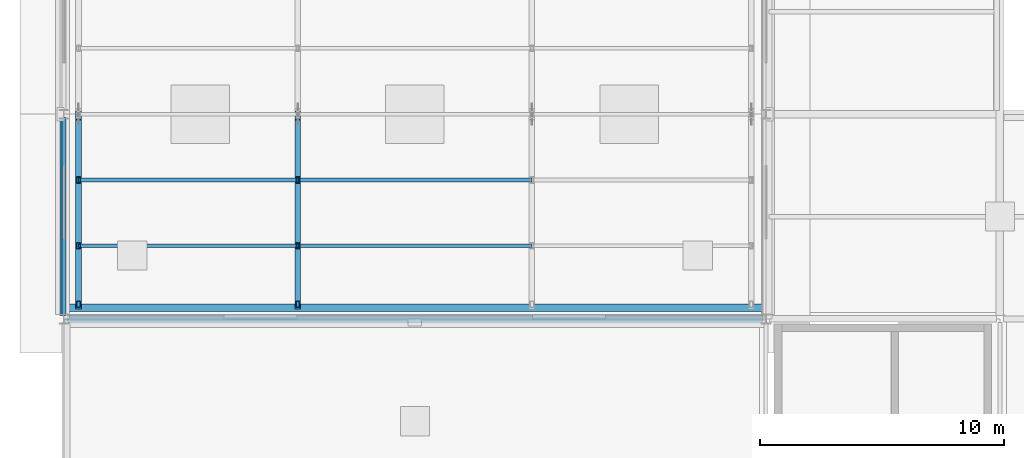
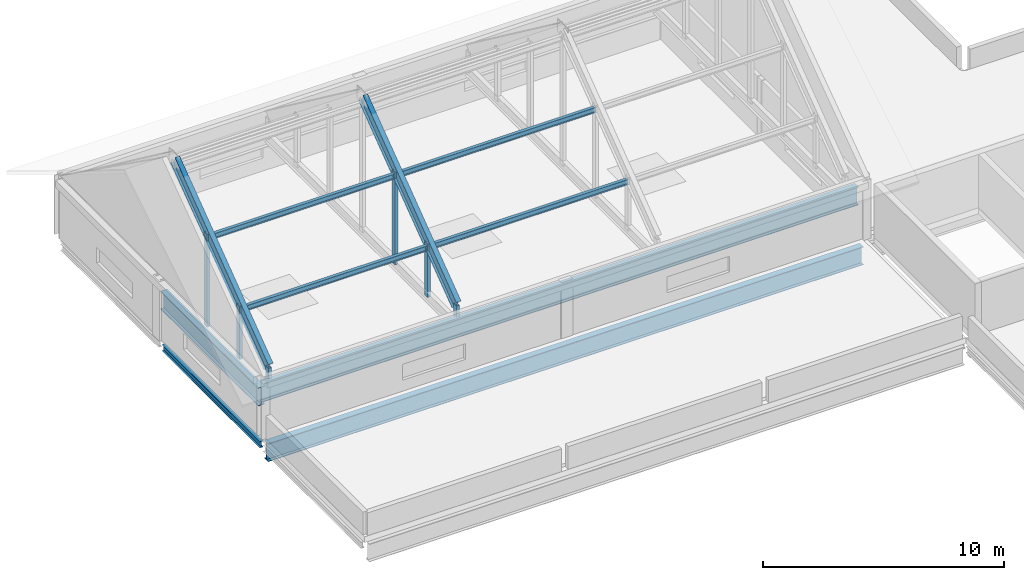
# One storey, part 2 of 10: 10 beams, 6 members.
"""IFC4 building model written with IfcOpenShell, lengths in metres."""

from ifc_helpers import new_model, si_unit, direction, frame, origin, origin_2d, place, context, subcontext, project, spatial, hollow_rectangle, i_section, extrude, material, material_profile, profile_set, type_object, element, save


model = new_model("IFC4")

# Units and contexts
model_context = context("Model", 3, precision=1e-05, world=origin(), true_north=direction((0.0, 1.0)))
body_context = subcontext(model_context, "Body", "Model", "MODEL_VIEW")
ifc_project = project(units=[si_unit("LENGTHUNIT", "METRE"), si_unit("AREAUNIT", "SQUARE_METRE"), si_unit("VOLUMEUNIT", "CUBIC_METRE"), si_unit("PLANEANGLEUNIT", "RADIAN"), si_unit("MASSUNIT", "GRAM", prefix="KILO")], contexts=[model_context])

# Site, building, storey
site_placement = place(None, origin())
site = spatial("IfcSite", under=ifc_project, at=site_placement, CompositionType="ELEMENT")
building_placement = place(site_placement, origin())
building = spatial("IfcBuilding", under=site, at=building_placement, Name="Lornevale Opera House", CompositionType="ELEMENT")
storey_placement = place(building_placement, frame((0.0, 0.0, 31.199951171875)))
storey = spatial("IfcBuildingStorey", under=building, at=storey_placement, Name="RF", CompositionType="ELEMENT", Elevation=31.199951171875)

# Beams
ifc_material = material(Name="Structural Steel CSA G40.21 Grade 350W (350 MPa)", Category="steel")
ifc_material_profile_1 = material_profile(ifc_material, i_section(OverallWidth=0.22900390625, OverallDepth=0.612060546875, WebThickness=0.011962890625, FlangeThickness=0.01953125, at=origin_2d()), Name="W610x125")
ifc_profile_set_1 = profile_set([ifc_material_profile_1], Name="Structural Steel CSA G40.21 Grade 350W (350 MPa)")
beam_type_1 = type_object("IfcBeamType", Name="Auditorium Truss Top Chord W610x125", PredefinedType="BEAM", material=ifc_profile_set_1)
for number, where, z_axis, x_axis, name in (
    (1, (67.800048828125, 67.800048828125, 2.9599609375), (0.0, 0.801113071648, 0.598513029461), (-1.0, 0.0, 0.0), "Auditorium Truss Top Chord W610x125 2991"),
    (2, (76.800048828125, 67.800048828125, 2.9599609375), (0.0, 0.801113071648, 0.598513029461), (-1.0, 0.0, 0.0), "Auditorium Truss Top Chord W610x125 2994"),
):
    element("IfcBeam", number, at=place(storey_placement, frame(where, z_axis=z_axis, x_axis=x_axis)), inside=storey, type_object=beam_type_1, Name=name, PredefinedType="BEAM", context=body_context, shape_type="SweptSolid", body=[
        extrude(i_section(OverallWidth=0.22900390625, OverallDepth=0.612060546875, WebThickness=0.011962890625, FlangeThickness=0.01953125, at=origin_2d()), origin(), (0.0, 0.0, 1.0), 9.674072265625),
    ])
ifc_material_profile_2 = material_profile(ifc_material, i_section(OverallWidth=0.14794921875, OverallDepth=0.26611328125, WebThickness=0.007568359375, FlangeThickness=0.012939453125, at=origin_2d()), Name="W250x45")
ifc_profile_set_2 = profile_set([ifc_material_profile_2], Name="Structural Steel CSA G40.21 Grade 350W (350 MPa)")
beam_type_2 = type_object("IfcBeamType", Name="Copper Roof Purlin W250x45", PredefinedType="JOIST", material=ifc_profile_set_2)
beam_1_placement = place(storey_placement, frame((67.800048828125, 70.199951171875, 4.3916015625), z_axis=(1.0, 0.0, 0.0), x_axis=(0.0, 1.0, 0.0)))
element("IfcBeam", 3, at=beam_1_placement, inside=storey, type_object=beam_type_2, Name="Copper Roof Purlin W250x45 3002", PredefinedType="JOIST", context=body_context, shape_type="SweptSolid", body=[
    extrude(i_section(OverallWidth=0.14794921875, OverallDepth=0.26611328125, WebThickness=0.007568359375, FlangeThickness=0.012939453125, at=origin_2d()), origin(), (0.0, 0.0, 1.0), 9.0),
])
beam_2_placement = place(storey_placement, frame((76.800048828125, 70.199951171875, 4.3916015625), z_axis=(1.0, 0.0, 0.0), x_axis=(0.0, 1.0, 0.0)))
element("IfcBeam", 4, at=beam_2_placement, inside=storey, type_object=beam_type_2, Name="Copper Roof Purlin W250x45 3003", PredefinedType="JOIST", context=body_context, shape_type="SweptSolid", body=[
    extrude(i_section(OverallWidth=0.14794921875, OverallDepth=0.26611328125, WebThickness=0.007568359375, FlangeThickness=0.012939453125, at=origin_2d()), origin(), (0.0, 0.0, 1.0), 9.599853515625),
])
beam_3_placement = place(storey_placement, frame((67.800048828125, 72.89990234375, 6.395751953125), z_axis=(1.0, 0.0, 0.0), x_axis=(0.0, 1.0, 0.0)))
element("IfcBeam", 5, at=beam_3_placement, inside=storey, type_object=beam_type_2, Name="Copper Roof Purlin W250x45 3005", PredefinedType="JOIST", context=body_context, shape_type="SweptSolid", body=[
    extrude(i_section(OverallWidth=0.14794921875, OverallDepth=0.26611328125, WebThickness=0.007568359375, FlangeThickness=0.012939453125, at=origin_2d()), origin(), (0.0, 0.0, 1.0), 9.0),
])
beam_4_placement = place(storey_placement, frame((76.800048828125, 72.89990234375, 6.395751953125), z_axis=(1.0, 0.0, 0.0), x_axis=(0.0, 1.0, 0.0)))
element("IfcBeam", 6, at=beam_4_placement, inside=storey, type_object=beam_type_2, Name="Copper Roof Purlin W250x45 3006", PredefinedType="JOIST", context=body_context, shape_type="SweptSolid", body=[
    extrude(i_section(OverallWidth=0.14794921875, OverallDepth=0.26611328125, WebThickness=0.007568359375, FlangeThickness=0.012939453125, at=origin_2d()), origin(), (0.0, 0.0, 1.0), 9.599853515625),
])

# Members
ifc_material_profile_3 = material_profile(ifc_material, hollow_rectangle(XDim=0.152099609375, YDim=0.25390625, WallThickness=0.010986328125, at=origin_2d()), Name="HSS254x152x11")
ifc_profile_set_3 = profile_set([ifc_material_profile_3], Name="Structural Steel CSA G40.21 Grade 350W (350 MPa)")
member_type = type_object("IfcMemberType", Name="Stage Truss Web HSS254x152x11", PredefinedType="STRUT", material=ifc_profile_set_3)
member_1_placement = place(storey_placement, frame((67.800048828125, 67.800048828125, 1.949951171875), z_axis=(0.0, 0.0, 1.0), x_axis=(1.0, 0.0, 0.0)))
element("IfcMember", 7, at=member_1_placement, inside=storey, type_object=member_type, Name="Stage Truss Web HSS254x152x11 0068", PredefinedType="STRUT", context=body_context, shape_type="SweptSolid", body=[
    extrude(hollow_rectangle(XDim=0.152099609375, YDim=0.25390625, WallThickness=0.010986328125, at=origin_2d()), origin(), (0.0, 0.0, 1.0), 1.010009765625),
])
member_2_placement = place(storey_placement, frame((67.800048828125, 70.199951171875, 1.949951171875), z_axis=(0.0, 0.0, 1.0), x_axis=(1.0, 0.0, 0.0)))
element("IfcMember", 8, at=member_2_placement, inside=storey, type_object=member_type, Name="Stage Truss Web HSS254x152x11 0070", PredefinedType="STRUT", context=body_context, shape_type="SweptSolid", body=[
    extrude(hollow_rectangle(XDim=0.152099609375, YDim=0.25390625, WallThickness=0.010986328125, at=origin_2d()), origin(), (0.0, 0.0, 1.0), 2.691650390625),
])
member_3_placement = place(storey_placement, frame((67.800048828125, 72.89990234375, 1.949951171875), z_axis=(0.0, 0.0, 1.0), x_axis=(1.0, 0.0, 0.0)))
element("IfcMember", 9, at=member_3_placement, inside=storey, type_object=member_type, Name="Stage Truss Web HSS254x152x11 0071", PredefinedType="STRUT", context=body_context, shape_type="SweptSolid", body=[
    extrude(hollow_rectangle(XDim=0.152099609375, YDim=0.25390625, WallThickness=0.010986328125, at=origin_2d()), origin(), (0.0, 0.0, 1.0), 4.69580078125),
])
member_4_placement = place(storey_placement, frame((76.800048828125, 67.800048828125, 1.949951171875), z_axis=(0.0, 0.0, 1.0), x_axis=(1.0, 0.0, 0.0)))
element("IfcMember", 10, at=member_4_placement, inside=storey, type_object=member_type, Name="Stage Truss Web HSS254x152x11 0075", PredefinedType="STRUT", context=body_context, shape_type="SweptSolid", body=[
    extrude(hollow_rectangle(XDim=0.152099609375, YDim=0.25390625, WallThickness=0.010986328125, at=origin_2d()), origin(), (0.0, 0.0, 1.0), 1.010009765625),
])
member_5_placement = place(storey_placement, frame((76.800048828125, 70.199951171875, 1.949951171875), z_axis=(0.0, 0.0, 1.0), x_axis=(1.0, 0.0, 0.0)))
element("IfcMember", 11, at=member_5_placement, inside=storey, type_object=member_type, Name="Stage Truss Web HSS254x152x11 0077", PredefinedType="STRUT", context=body_context, shape_type="SweptSolid", body=[
    extrude(hollow_rectangle(XDim=0.152099609375, YDim=0.25390625, WallThickness=0.010986328125, at=origin_2d()), origin(), (0.0, 0.0, 1.0), 2.691650390625),
])
member_6_placement = place(storey_placement, frame((76.800048828125, 72.89990234375, 1.949951171875), z_axis=(0.0, 0.0, 1.0), x_axis=(1.0, 0.0, 0.0)))
element("IfcMember", 12, at=member_6_placement, inside=storey, type_object=member_type, Name="Stage Truss Web HSS254x152x11 0078", PredefinedType="STRUT", context=body_context, shape_type="SweptSolid", body=[
    extrude(hollow_rectangle(XDim=0.152099609375, YDim=0.25390625, WallThickness=0.010986328125, at=origin_2d()), origin(), (0.0, 0.0, 1.0), 4.69580078125),
])

# Beams
ifc_material_profile_4 = material_profile(ifc_material, i_section(OverallWidth=0.1669921875, OverallDepth=0.31689453125, WebThickness=0.007568359375, FlangeThickness=0.01318359375, at=origin_2d()), Name="W310x52")
ifc_profile_set_4 = profile_set([ifc_material_profile_4], Name="Structural Steel CSA G40.21 Grade 350W (350 MPa)")
beam_type_3 = type_object("IfcBeamType", Name="Steel Spandrel Beam W310x52", PredefinedType="SPANDREL", material=ifc_profile_set_4)
beam_5_placement = place(storey_placement, frame((67.199951171875, 67.343505859375, -0.493408203125), z_axis=(0.0, 1.0, 0.0), x_axis=(-1.0, 0.0, 0.0)))
element("IfcBeam", 13, at=beam_5_placement, inside=storey, type_object=beam_type_3, Name="Steel Spandrel Beam W310x52 2909", PredefinedType="SPANDREL", context=body_context, shape_type="SweptSolid", body=[
    extrude(i_section(OverallWidth=0.1669921875, OverallDepth=0.31689453125, WebThickness=0.007568359375, FlangeThickness=0.01318359375, at=origin_2d()), origin(), (0.0, 0.0, 1.0), 8.113037109375),
])
ifc_material_profile_5 = material_profile(ifc_material, i_section(OverallWidth=0.305908203125, OverallDepth=0.9189453125, WebThickness=0.017333984375, FlangeThickness=0.02783203125, at=origin_2d()), Name="W920x253")
ifc_profile_set_5 = profile_set([ifc_material_profile_5], Name="Structural Steel CSA G40.21 Grade 350W (350 MPa)")
beam_type_4 = type_object("IfcBeamType", Name="Steel Stagehouse Girder W920x253", PredefinedType="USERDEFINED", material=ifc_profile_set_5)
beam_6_placement = place(storey_placement, frame((67.347900390625, 67.199951171875, -0.79443359375), z_axis=(1.0, 0.0, 0.0), x_axis=(0.0, 1.0, 0.0)))
element("IfcBeam", 14, at=beam_6_placement, inside=storey, type_object=beam_type_4, Name="Steel Stagehouse Girder W920x253 2899", ObjectType="GIRDER", PredefinedType="USERDEFINED", context=body_context, shape_type="SweptSolid", body=[
    extrude(i_section(OverallWidth=0.305908203125, OverallDepth=0.9189453125, WebThickness=0.017333984375, FlangeThickness=0.02783203125, at=origin_2d()), origin(), (0.0, 0.0, 1.0), 28.504150390625),
])
beam_7_placement = place(storey_placement, frame((67.199951171875, 67.35009765625, 1.949951171875), z_axis=(0.0, 1.0, 0.0), x_axis=(-1.0, 0.0, 0.0)))
element("IfcBeam", 15, at=beam_7_placement, inside=storey, type_object=beam_type_4, Name="Steel Stagehouse Girder W920x253 2984", ObjectType="GIRDER", PredefinedType="USERDEFINED", context=body_context, shape_type="SweptSolid", body=[
    extrude(i_section(OverallWidth=0.305908203125, OverallDepth=0.9189453125, WebThickness=0.017333984375, FlangeThickness=0.02783203125, at=origin_2d()), origin(), (0.0, 0.0, 1.0), 8.099853515625),
])
beam_8_placement = place(storey_placement, frame((67.320068359375, 67.64990234375, 1.949951171875), z_axis=(1.0, 0.0, 0.0), x_axis=(0.0, 1.0, 0.0)))
element("IfcBeam", 16, at=beam_8_placement, inside=storey, type_object=beam_type_4, Name="Steel Stagehouse Girder W920x253 2988", ObjectType="GIRDER", PredefinedType="USERDEFINED", context=body_context, shape_type="SweptSolid", body=[
    extrude(i_section(OverallWidth=0.305908203125, OverallDepth=0.9189453125, WebThickness=0.017333984375, FlangeThickness=0.02783203125, at=origin_2d()), origin(), (0.0, 0.0, 1.0), 28.559814453125),
])

save(model, "model.ifc")
